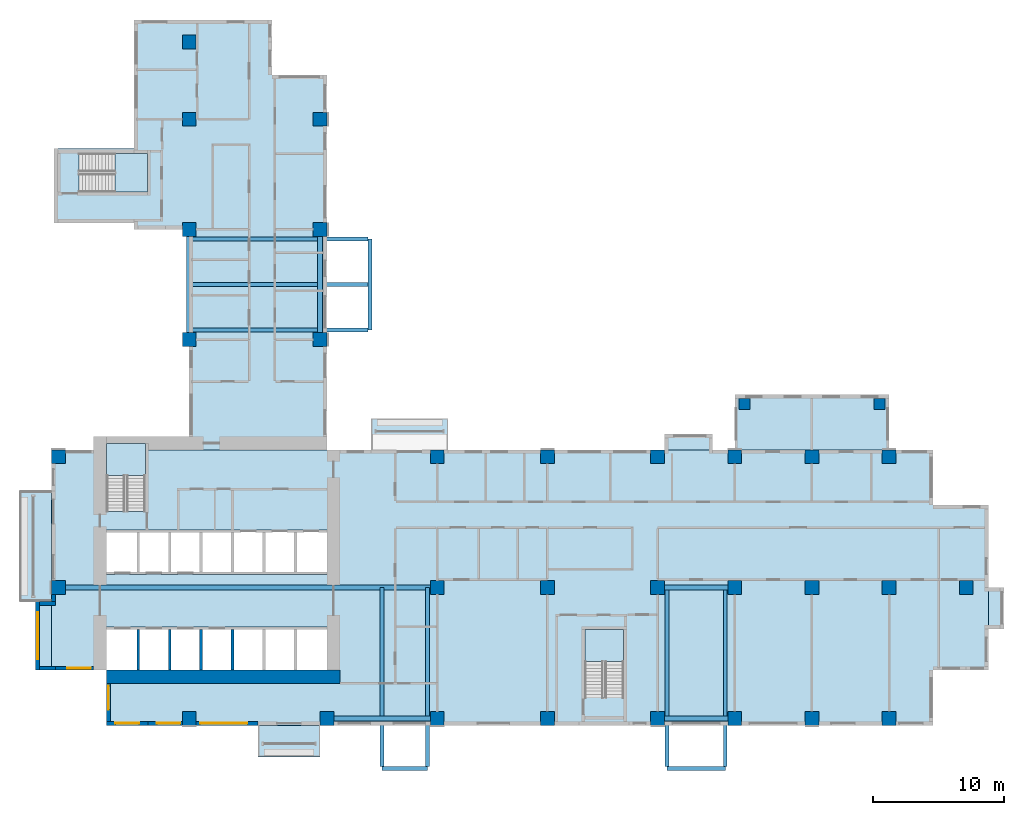
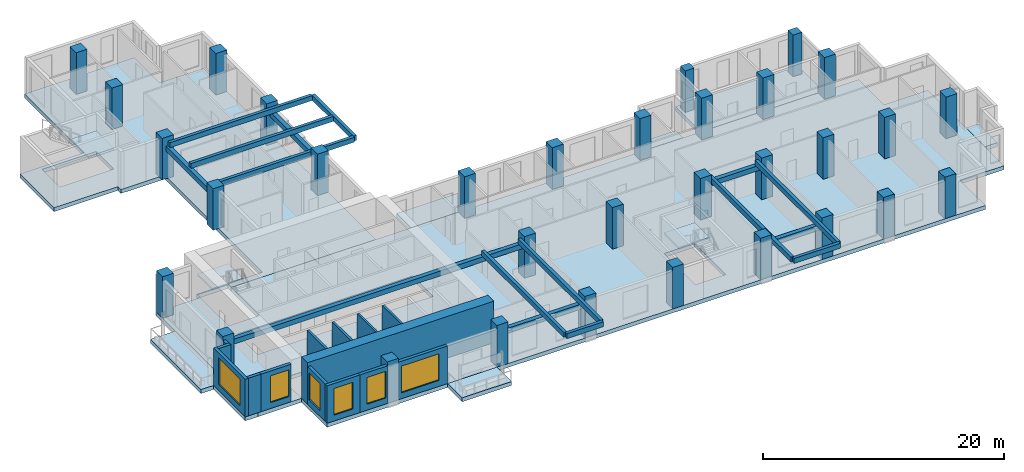
# One storey, part 1 of 14: 32 columns, 16 beams, 14 walls, 12 slabs, 6 windows, 6 openings, 3 elements without a shape of their own.
"""IFC4 building model written with IfcOpenShell, lengths in metres."""

import ifcopenshell
import ifcopenshell.guid

model = None  # the IFC model being written
_history = None  # IfcOwnerHistory: only IFC2X3 demands one
_inside = {}  # id of a spatial element -> (the spatial element, [elements in it])
_under = {}  # id of a project, library or spatial element -> (it, [spatial elements below it])
_declared = {}  # id of a project -> (the project, [libraries it declares])
_typed = {}  # id of a type object -> (the type object, [elements of that type])
_made_of = {}  # id of a material, layer set ... -> (it, [elements and type objects made of it])


def new_model(schema):
    """Start an empty IFC model of exactly this schema.

    Asked for "IFC4X3", IfcOpenShell would pick the latest addendum, in which some entities
    have other attributes; the version numbers below select the first issue.
    IFC2X3 requires an IfcOwnerHistory on every rooted entity: one is made here for all.
    """
    global model, _history
    if schema == "IFC4X3":
        model = ifcopenshell.file(schema_version=(4, 3, 0, 0))
    else:
        model = ifcopenshell.file(schema=schema)
    _inside.clear()
    _under.clear()
    _declared.clear()
    _typed.clear()
    _made_of.clear()
    _history = None
    if model.schema == "IFC2X3":
        org = make("IfcOrganization", Name="unknown")
        user = make(
            "IfcPersonAndOrganization",
            ThePerson=make("IfcPerson", FamilyName="unknown"),
            TheOrganization=org,
        )
        app = make(
            "IfcApplication",
            ApplicationDeveloper=org,
            Version="unknown",
            ApplicationFullName="unknown",
            ApplicationIdentifier="unknown",
        )
        _history = make(
            "IfcOwnerHistory",
            OwningUser=user,
            OwningApplication=app,
            ChangeAction="ADDED",
            CreationDate=0,
        )
    return model


def make(cls, **values):
    """One entity of the class cls with the attributes given. An attribute that is None is left unset."""
    return model.create_entity(
        cls, **{name: value for name, value in values.items() if value is not None}
    )


def rooted(cls, **values):
    """An entity with a GlobalId (a new one), such as an element, a storey or a relation."""
    return make(cls, GlobalId=ifcopenshell.guid.new(), OwnerHistory=_history, **values)


def si_unit(unit_type, name, prefix=None):
    """IfcSIUnit, for example si_unit("LENGTHUNIT", "METRE", prefix="MILLI")."""
    return make("IfcSIUnit", UnitType=unit_type, Prefix=prefix, Name=name)


def assignment(units):
    """IfcUnitAssignment: the units of a project."""
    return None if units is None else make("IfcUnitAssignment", Units=units)


def point(xyz):
    """IfcCartesianPoint."""
    return None if xyz is None else make("IfcCartesianPoint", Coordinates=xyz)


def direction(xyz):
    """IfcDirection."""
    return None if xyz is None else make("IfcDirection", DirectionRatios=xyz)


def frame(location, z_axis=None, x_axis=None):
    """IfcAxis2Placement3D, a coordinate frame: its origin and axes. An axis left out is left unset."""
    return make(
        "IfcAxis2Placement3D",
        Location=point(location),
        Axis=direction(z_axis),
        RefDirection=direction(x_axis),
    )


def frame_2d(location, x_axis=None):
    """IfcAxis2Placement2D, a coordinate frame in the plane: its origin and x axis."""
    return make(
        "IfcAxis2Placement2D", Location=point(location), RefDirection=direction(x_axis)
    )


def origin():
    """The frame at (0, 0, 0) with its axes left unset."""
    return frame((0.0, 0.0, 0.0))


def origin_2d():
    """The frame at (0, 0) in the plane with its x axis left unset."""
    return frame_2d((0.0, 0.0))


def place(relative_to, where):
    """IfcLocalPlacement: puts the frame where relative to a parent placement (None: the world)."""
    return make(
        "IfcLocalPlacement", PlacementRelTo=relative_to, RelativePlacement=where
    )


def context(
    kind, dimensions, precision=None, world=None, true_north=None, identifier=None
):
    """IfcGeometricRepresentationContext, for example the 3D "Model" context."""
    return make(
        "IfcGeometricRepresentationContext",
        ContextIdentifier=identifier,
        ContextType=kind,
        CoordinateSpaceDimension=dimensions,
        Precision=precision,
        WorldCoordinateSystem=world,
        TrueNorth=true_north,
    )


def subcontext(parent, identifier, kind, view, scale=None):
    """IfcGeometricRepresentationSubContext, for example "Body" below "Model"."""
    return make(
        "IfcGeometricRepresentationSubContext",
        ContextIdentifier=identifier,
        ContextType=kind,
        ParentContext=parent,
        TargetScale=scale,
        TargetView=view,
    )


def project(units=None, contexts=None):
    """IfcProject with its units and contexts."""
    return rooted(
        "IfcProject",
        Name="project",
        RepresentationContexts=contexts,
        UnitsInContext=assignment(units),
    )


def spatial(cls, under=None, at=None, **own):
    """A site, building, storey or space (cls), placed at a placement, below another one or the project."""
    s = rooted(cls, ObjectPlacement=at, **own)
    if under is not None:
        _under.setdefault(under.id(), (under, []))[1].append(s)
    return s


def polyline(points):
    """IfcPolyline through the points."""
    return make("IfcPolyline", Points=[point(p) for p in points])


def profile(cls, at=None, kind="AREA", **sizes):
    """A parametric profile (cls). Its sizes go by their IFC names, for example OverallWidth=200.0."""
    return make(cls, ProfileType=kind, Position=at, **sizes)


def rectangle(**sizes):
    """IfcRectangleProfileDef."""
    return profile("IfcRectangleProfileDef", **sizes)


def outline(outer, holes=None, kind="AREA"):
    """IfcArbitraryClosedProfileDef: a profile drawn as a closed curve; with holes, ...WithVoids."""
    if holes is None:
        return make("IfcArbitraryClosedProfileDef", ProfileType=kind, OuterCurve=outer)
    return make(
        "IfcArbitraryProfileDefWithVoids",
        ProfileType=kind,
        OuterCurve=outer,
        InnerCurves=holes,
    )


def extrude(swept, where, along, depth):
    """IfcExtrudedAreaSolid: the profile swept, set in the frame where, extruded along a direction by depth."""
    return make(
        "IfcExtrudedAreaSolid",
        SweptArea=swept,
        Position=where,
        ExtrudedDirection=direction(along),
        Depth=depth,
    )


def shape(context_of_items, identifier, shape_type, items):
    """IfcShapeRepresentation: the items that make up one representation, for example the "Body"."""
    return make(
        "IfcShapeRepresentation",
        ContextOfItems=context_of_items,
        RepresentationIdentifier=identifier,
        RepresentationType=shape_type,
        Items=items,
    )


def source(mapping_origin, context_of_items, identifier, shape_type, items):
    """IfcRepresentationMap: a shape defined once, which mapped items show again and again."""
    return make(
        "IfcRepresentationMap",
        MappingOrigin=mapping_origin,
        MappedRepresentation=shape(context_of_items, identifier, shape_type, items),
    )


def transform(
    local_origin,
    x_axis=None,
    y_axis=None,
    z_axis=None,
    scale=None,
    scale2=None,
    scale3=None,
    uniform=True,
):
    """IfcCartesianTransformationOperator3D, or its non-uniform kind. x_axis, y_axis, z_axis: its Axis1, 2, 3."""
    if uniform:
        return make(
            "IfcCartesianTransformationOperator3D",
            Axis1=direction(x_axis),
            Axis2=direction(y_axis),
            LocalOrigin=point(local_origin),
            Scale=scale,
            Axis3=direction(z_axis),
        )
    return make(
        "IfcCartesianTransformationOperator3DnonUniform",
        Axis1=direction(x_axis),
        Axis2=direction(y_axis),
        LocalOrigin=point(local_origin),
        Scale=scale,
        Axis3=direction(z_axis),
        Scale2=scale2,
        Scale3=scale3,
    )


def mapped(mapping_source, mapping_target):
    """IfcMappedItem: shows the shape of a source again, moved by a transform."""
    return make(
        "IfcMappedItem", MappingSource=mapping_source, MappingTarget=mapping_target
    )


def material(Name=None, Category=None):
    """IfcMaterial."""
    return make("IfcMaterial", Name=Name, Category=Category)


def layer(
    of_material, thickness, ventilated=None, Name=None, Category=None, Priority=None
):
    """IfcMaterialLayer: one layer of a wall or slab, of a material (None: an air gap)."""
    return make(
        "IfcMaterialLayer",
        Material=of_material,
        LayerThickness=thickness,
        IsVentilated=ventilated,
        Name=Name,
        Category=Category,
        Priority=Priority,
    )


def layer_set(layers, Name=None):
    """IfcMaterialLayerSet."""
    return make("IfcMaterialLayerSet", MaterialLayers=layers, LayerSetName=Name)


def material_profile(
    of_material, cross_section, Name=None, Category=None, Priority=None
):
    """IfcMaterialProfile: a cross section and its material."""
    return make(
        "IfcMaterialProfile",
        Name=Name,
        Material=of_material,
        Profile=cross_section,
        Priority=Priority,
        Category=Category,
    )


def profile_set(profiles, Name=None, composite=None):
    """IfcMaterialProfileSet."""
    return make(
        "IfcMaterialProfileSet",
        Name=Name,
        MaterialProfiles=profiles,
        CompositeProfile=composite,
    )


def made_of(thing, what):
    """Note that an element or type object is made of a material, layer set ...; save() writes the relation."""
    if what is not None:
        _made_of.setdefault(what.id(), (what, []))[1].append(thing)
    return thing


def type_object(cls, material=None, **own):
    """A type object (cls), such as IfcWallType, which elements share."""
    return made_of(rooted(cls, **own), material)


def element(
    cls,
    number,
    at=None,
    inside=None,
    cuts=None,
    type_object=None,
    material=None,
    context=None,
    identifier="Body",
    shape_type=None,
    held_by="IfcProductDefinitionShape",
    body=None,
    shapes=None,
    **own,
):
    """One element of the class cls, such as IfcWall. Its Tag is "e" and its number.

    at: its placement. inside: the storey or other place that contains it. cuts: it is an
    opening in that element (IfcRelVoidsElement). A single representation is given by context,
    identifier, shape_type and body (its items); several are given by shapes. held_by: the class
    of the entity that holds the representations. save() writes the other relations.
    """
    e = rooted(cls, Tag="e%d" % number, ObjectPlacement=at, **own)
    if body is not None:
        shapes = [shape(context, identifier, shape_type, body)]
    if shapes is not None:
        e.Representation = make(held_by, Representations=shapes)
    if inside is not None:
        _inside.setdefault(inside.id(), (inside, []))[1].append(e)
    if cuts is not None:
        rooted(
            "IfcRelVoidsElement", RelatingBuildingElement=cuts, RelatedOpeningElement=e
        )
    if type_object is not None:
        _typed.setdefault(type_object.id(), (type_object, []))[1].append(e)
    return made_of(e, material)


def fill(opening, filler):
    """IfcRelFillsElement: the door or window that sits in an opening."""
    return rooted(
        "IfcRelFillsElement",
        RelatingOpeningElement=opening,
        RelatedBuildingElement=filler,
    )


def aggregate(whole, parts):
    """IfcRelAggregates: a whole, such as a stair, and the parts it consists of."""
    return rooted("IfcRelAggregates", RelatingObject=whole, RelatedObjects=parts)


def save(model, path):
    """Write the relations noted so far, then the file.

    IfcRelAggregates (storeys below a building ...), IfcRelContainedInSpatialStructure (elements
    in a storey), IfcRelDefinesByType, IfcRelAssociatesMaterial and IfcRelDeclares: one each for
    every whole, place, type object, material and project.
    """
    for whole, parts in _under.values():
        aggregate(whole, parts)
    for where, things in _inside.values():
        rooted(
            "IfcRelContainedInSpatialStructure",
            RelatedElements=things,
            RelatingStructure=where,
        )
    for kind, things in _typed.values():
        rooted("IfcRelDefinesByType", RelatedObjects=things, RelatingType=kind)
    for what, things in _made_of.values():
        rooted("IfcRelAssociatesMaterial", RelatedObjects=things, RelatingMaterial=what)
    for by, libraries in _declared.values():
        rooted("IfcRelDeclares", RelatingContext=by, RelatedDefinitions=libraries)
    model.write(path)


model = new_model("IFC4")

# Units and contexts
model_context = context("Model", 3, precision=1e-05, world=origin(), true_north=direction((0.0, 1.0)))
body_context = subcontext(model_context, "Body", "Model", "MODEL_VIEW")
ifc_project = project(units=[si_unit("LENGTHUNIT", "METRE"), si_unit("AREAUNIT", "SQUARE_METRE"), si_unit("VOLUMEUNIT", "CUBIC_METRE"), si_unit("PLANEANGLEUNIT", "RADIAN"), si_unit("MASSUNIT", "GRAM", prefix="KILO")], contexts=[model_context])

# Site, building, storey
site_placement = place(None, origin())
site = spatial("IfcSite", under=ifc_project, at=site_placement, CompositionType="ELEMENT")
building_placement = place(site_placement, origin())
building = spatial("IfcBuilding", under=site, at=building_placement, Name="Aurelian Terraces", CompositionType="ELEMENT")
storey_placement = place(building_placement, frame((0.0, 0.0, 128.7)))
storey = spatial("IfcBuildingStorey", under=building, at=storey_placement, Name="L28", CompositionType="ELEMENT", Elevation=128.7)

# Columns
ifc_material_1 = material(Name="Concrete fc' 83 MPa", Category="concrete")
ifc_material_profile_1 = material_profile(ifc_material_1, rectangle(XDim=1.05, YDim=1.05, at=origin_2d()))
ifc_profile_set_1 = profile_set([ifc_material_profile_1], Name="Concrete fc' 83 MPa")
column_type_1 = type_object("IfcColumnType", Name="RC COLUMN 1050X1050 FC83", PredefinedType="COLUMN", material=ifc_profile_set_1)
shared_shape_1 = source(origin(), body_context, "Body", "SweptSolid", [
    extrude(rectangle(XDim=1.05, YDim=1.05, at=origin_2d()), origin(), (0.0, 0.0, 1.0), 4.2),
])
for number, where, z_axis, x_axis, name in (
    (1, (10.5, 0.525, 0.0), (0.0, 0.0, 1.0), (1.0, 0.0, 0.0), "Column 2/A L28"),
    (2, (21.0, 0.525, 0.0), (0.0, 0.0, 1.0), (1.0, 0.0, 0.0), "Column 3/A L28"),
    (3, (29.4, 0.525, 0.0), (0.0, 0.0, 1.0), (1.0, 0.0, 0.0), "Column 4/A L28"),
    (4, (37.8, 0.525, 0.0), (0.0, 0.0, 1.0), (1.0, 0.0, 0.0), "Column 5/A L28"),
    (5, (46.2, 0.525, 0.0), (0.0, 0.0, 1.0), (1.0, 0.0, 0.0), "Column 6/A L28"),
    (6, (52.08, 0.525, 0.0), (0.0, 0.0, 1.0), (1.0, 0.0, 0.0), "Column 7/A L28"),
    (7, (57.96, 0.525, 0.0), (0.0, 0.0, 1.0), (1.0, 0.0, 0.0), "Column 8/A L28"),
    (8, (63.84, 0.525, 0.0), (0.0, 0.0, 1.0), (1.0, 0.0, 0.0), "Column 9/A L28"),
    (9, (0.525, 10.5, 0.0), (0.0, 0.0, 1.0), (1.0, 0.0, 0.0), "Column 1/B L28"),
    (10, (29.4, 10.5, 0.0), (0.0, 0.0, 1.0), (1.0, 0.0, 0.0), "Column 4/B L28"),
    (11, (37.8, 10.5, 0.0), (0.0, 0.0, 1.0), (1.0, 0.0, 0.0), "Column 5/B L28"),
    (12, (46.2, 10.5, 0.0), (0.0, 0.0, 1.0), (1.0, 0.0, 0.0), "Column 6/B L28"),
    (13, (52.08, 10.5, 0.0), (0.0, 0.0, 1.0), (1.0, 0.0, 0.0), "Column 7/B L28"),
    (14, (57.96, 10.5, 0.0), (0.0, 0.0, 1.0), (1.0, 0.0, 0.0), "Column 8/B L28"),
    (15, (63.84, 10.5, 0.0), (0.0, 0.0, 1.0), (1.0, 0.0, 0.0), "Column 9/B L28"),
    (16, (69.72, 10.5, 0.0), (0.0, 0.0, 1.0), (1.0, 0.0, 0.0), "Column 10/B L28"),
    (17, (0.525, 20.475, 0.0), (0.0, 0.0, 1.0), (1.0, 0.0, 0.0), "Column 1/C L28"),
    (18, (29.4, 20.475, 0.0), (0.0, 0.0, 1.0), (1.0, 0.0, 0.0), "Column 4/C L28"),
    (19, (37.8, 20.475, 0.0), (0.0, 0.0, 1.0), (1.0, 0.0, 0.0), "Column 5/C L28"),
    (20, (46.2, 20.475, 0.0), (0.0, 0.0, 1.0), (1.0, 0.0, 0.0), "Column 6/C L28"),
    (21, (52.08, 20.475, 0.0), (0.0, 0.0, 1.0), (1.0, 0.0, 0.0), "Column 7/C L28"),
    (22, (57.96, 20.475, 0.0), (0.0, 0.0, 1.0), (1.0, 0.0, 0.0), "Column 8/C L28"),
    (23, (63.84, 20.475, 0.0), (0.0, 0.0, 1.0), (1.0, 0.0, 0.0), "Column 9/C L28"),
    (24, (10.5, 29.4, 0.0), (0.0, 0.0, 1.0), (1.0, 0.0, 0.0), "Column 2/D L28"),
    (25, (20.475, 29.4, 0.0), (0.0, 0.0, 1.0), (1.0, 0.0, 0.0), "Column 3/D L28"),
    (26, (10.5, 37.8, 0.0), (0.0, 0.0, 1.0), (1.0, 0.0, 0.0), "Column 2/E L28"),
    (27, (20.475, 37.8, 0.0), (0.0, 0.0, 1.0), (1.0, 0.0, 0.0), "Column 3/E L28"),
    (28, (10.5, 46.2, 0.0), (0.0, 0.0, 1.0), (1.0, 0.0, 0.0), "Column 2/F L28"),
    (29, (20.475, 46.2, 0.0), (0.0, 0.0, 1.0), (1.0, 0.0, 0.0), "Column 3/F L28"),
    (30, (10.5, 52.08, 0.0), (0.0, 0.0, 1.0), (1.0, 0.0, 0.0), "Column 2/G L28"),
):
    element("IfcColumn", number, at=place(storey_placement, frame(where, z_axis=z_axis, x_axis=x_axis)), inside=storey, type_object=column_type_1, Name=name, PredefinedType="COLUMN", context=body_context, shape_type="MappedRepresentation", body=[
        mapped(shared_shape_1, transform((0.0, 0.0, 0.0), scale=1.0)),
    ])
ifc_material_2 = material(Name="Concrete fc' 55 MPa", Category="concrete")
ifc_material_profile_2 = material_profile(ifc_material_2, rectangle(XDim=0.84, YDim=0.84, at=origin_2d()))
ifc_profile_set_2 = profile_set([ifc_material_profile_2], Name="Concrete fc' 55 MPa")
column_type_2 = type_object("IfcColumnType", Name="BLOCK CORNER PIER 840X840", PredefinedType="COLUMN", material=ifc_profile_set_2)
shared_shape_2 = source(origin(), body_context, "Body", "SweptSolid", [
    extrude(rectangle(XDim=0.84, YDim=0.84, at=origin_2d()), origin(), (0.0, 0.0, 1.0), 4.2),
])
for number, where, z_axis, x_axis, name in (
    (31, (52.805, 24.48, 0.0), (0.0, 0.0, 1.0), (1.0, 0.0, 0.0), "Block pier K02.1 L28"),
    (32, (63.115, 24.48, 0.0), (0.0, 0.0, 1.0), (1.0, 0.0, 0.0), "Block pier K02.2 L28"),
):
    element("IfcColumn", number, at=place(storey_placement, frame(where, z_axis=z_axis, x_axis=x_axis)), inside=storey, type_object=column_type_2, Name=name, PredefinedType="COLUMN", context=body_context, shape_type="MappedRepresentation", body=[
        mapped(shared_shape_2, transform((0.0, 0.0, 0.0), scale=1.0)),
    ])

# Beams
ifc_material_3 = material(Name="Concrete fc' 40 MPa", Category="concrete")
ifc_material_profile_3 = material_profile(ifc_material_3, rectangle(XDim=0.3, YDim=0.5, at=origin_2d()))
ifc_profile_set_3 = profile_set([ifc_material_profile_3], Name="Concrete fc' 40 MPa")
beam_type_1 = type_object("IfcBeamType", Name="CONCRETE CANTILEVER BEAM 300X500", PredefinedType="BEAM", material=ifc_profile_set_3)
beam_1_placement = place(storey_placement, frame((24.275, 30.125, 3.55), z_axis=(0.0, 1.0, 0.0), x_axis=(-1.0, 0.0, 0.0)))
element("IfcBeam", 33, at=beam_1_placement, inside=storey, type_object=beam_type_1, Name="Box tip beam J41", PredefinedType="BEAM", context=body_context, shape_type="SweptSolid", body=[
    extrude(rectangle(XDim=0.3, YDim=0.5, at=origin_2d()), origin(), (0.0, 0.0, 1.0), 6.95),
])
ifc_material_profile_4 = material_profile(ifc_material_3, rectangle(XDim=0.4, YDim=0.5, at=origin_2d()))
ifc_profile_set_4 = profile_set([ifc_material_profile_4], Name="Concrete fc' 40 MPa")
beam_type_2 = type_object("IfcBeamType", Name="CONCRETE EDGE GIRDER 400X500", PredefinedType="BEAM", material=ifc_profile_set_4)
shared_shape_3 = source(origin(), body_context, "Body", "SweptSolid", [
    extrude(rectangle(XDim=0.4, YDim=0.5, at=origin_2d()), origin(), (0.0, 0.0, 1.0), 4.83),
])
for number, where, z_axis, x_axis, name in (
    (34, (46.725, 0.525, 3.05), (1.0, 0.0, 0.0), (0.0, 1.0, 0.0), "Box girder L28 O83"),
    (35, (46.725, 10.5, 3.05), (1.0, 0.0, 0.0), (0.0, 1.0, 0.0), "Box girder L28 I84"),
):
    element("IfcBeam", number, at=place(storey_placement, frame(where, z_axis=z_axis, x_axis=x_axis)), inside=storey, type_object=beam_type_2, Name=name, PredefinedType="BEAM", context=body_context, shape_type="MappedRepresentation", body=[
        mapped(shared_shape_3, transform((0.0, 0.0, 0.0), scale=1.0)),
    ])
shared_shape_4 = source(origin(), body_context, "Body", "SweptSolid", [
    extrude(rectangle(XDim=0.3, YDim=0.5, at=origin_2d()), origin(), (0.0, 0.0, 1.0), 13.625),
])
for number, where, z_axis, x_axis, name in (
    (36, (25.2, -3.125, 3.55), (0.0, 1.0, 0.0), (-1.0, 0.0, 0.0), "Box cantilever beam J39.1"),
    (37, (28.675, -3.125, 3.55), (0.0, 1.0, 0.0), (-1.0, 0.0, 0.0), "Box cantilever beam J39.2"),
    (38, (46.925, -3.125, 3.55), (0.0, 1.0, 0.0), (-1.0, 0.0, 0.0), "Box cantilever beam J40.1"),
    (39, (51.355, -3.125, 3.55), (0.0, 1.0, 0.0), (-1.0, 0.0, 0.0), "Box cantilever beam J40.2"),
    (40, (24.125, 30.125, 3.55), (-1.0, 0.0, 0.0), (0.0, -1.0, 0.0), "Box cantilever beam J41.1"),
    (41, (24.125, 37.075, 3.55), (-1.0, 0.0, 0.0), (0.0, -1.0, 0.0), "Box cantilever beam J41.2"),
    (42, (24.125, 33.6, 3.55), (-1.0, 0.0, 0.0), (0.0, -1.0, 0.0), "Box cantilever beam J41.m1"),
):
    element("IfcBeam", number, at=place(storey_placement, frame(where, z_axis=z_axis, x_axis=x_axis)), inside=storey, type_object=beam_type_1, Name=name, PredefinedType="BEAM", context=body_context, shape_type="MappedRepresentation", body=[
        mapped(shared_shape_4, transform((0.0, 0.0, 0.0), scale=1.0)),
    ])
shared_shape_5 = source(origin(), body_context, "Body", "SweptSolid", [
    extrude(rectangle(XDim=0.4, YDim=0.5, at=origin_2d()), origin(), (0.0, 0.0, 1.0), 27.825),
])
beam_2_placement = place(storey_placement, frame((1.05, 10.5, 3.05), z_axis=(1.0, 0.0, 0.0), x_axis=(0.0, 1.0, 0.0)))
element("IfcBeam", 43, at=beam_2_placement, inside=storey, type_object=beam_type_2, Name="Box girder L28 I82", PredefinedType="BEAM", context=body_context, shape_type="MappedRepresentation", body=[
    mapped(shared_shape_5, transform((0.0, 0.0, 0.0), scale=1.0)),
])
shared_shape_6 = source(origin(), body_context, "Body", "SweptSolid", [
    extrude(rectangle(XDim=0.4, YDim=0.5, at=origin_2d()), origin(), (0.0, 0.0, 1.0), 7.35),
])
for number, where, z_axis, x_axis, name in (
    (44, (21.525, 0.525, 3.05), (1.0, 0.0, 0.0), (0.0, 1.0, 0.0), "Box girder L28 O81"),
    (45, (20.475, 29.925, 3.05), (0.0, 1.0, 0.0), (-1.0, 0.0, 0.0), "Box girder L28 O85"),
    (46, (10.5, 29.925, 3.05), (0.0, 1.0, 0.0), (-1.0, 0.0, 0.0), "Box girder L28 I86"),
):
    element("IfcBeam", number, at=place(storey_placement, frame(where, z_axis=z_axis, x_axis=x_axis)), inside=storey, type_object=beam_type_2, Name=name, PredefinedType="BEAM", context=body_context, shape_type="MappedRepresentation", body=[
        mapped(shared_shape_6, transform((0.0, 0.0, 0.0), scale=1.0)),
    ])
shared_shape_7 = source(origin(), body_context, "Body", "SweptSolid", [
    extrude(rectangle(XDim=0.3, YDim=0.5, at=origin_2d()), origin(), (0.0, 0.0, 1.0), 3.475),
])
beam_3_placement = place(storey_placement, frame((25.2, -3.275, 3.55), z_axis=(1.0, 0.0, 0.0), x_axis=(0.0, 1.0, 0.0)))
element("IfcBeam", 47, at=beam_3_placement, inside=storey, type_object=beam_type_1, Name="Box tip beam J39", PredefinedType="BEAM", context=body_context, shape_type="MappedRepresentation", body=[
    mapped(shared_shape_7, transform((0.0, 0.0, 0.0), scale=1.0)),
])
shared_shape_8 = source(origin(), body_context, "Body", "SweptSolid", [
    extrude(rectangle(XDim=0.3, YDim=0.5, at=origin_2d()), origin(), (0.0, 0.0, 1.0), 4.43),
])
beam_4_placement = place(storey_placement, frame((46.925, -3.275, 3.55), z_axis=(1.0, 0.0, 0.0), x_axis=(0.0, 1.0, 0.0)))
element("IfcBeam", 48, at=beam_4_placement, inside=storey, type_object=beam_type_1, Name="Box tip beam J40", PredefinedType="BEAM", context=body_context, shape_type="MappedRepresentation", body=[
    mapped(shared_shape_8, transform((0.0, 0.0, 0.0), scale=1.0)),
])

# Slabs
ifc_layer_1 = layer(ifc_material_3, 0.4)
ifc_layer_set_1 = layer_set([ifc_layer_1], Name="Balcony slab 400")
slab_type_1 = type_object("IfcSlabType", Name="Balcony slab 400", PredefinedType="NOTDEFINED", material=ifc_layer_set_1)
slab_1_placement = place(storey_placement, frame((0.0, 0.0, -0.4)))
element("IfcSlab", 49, at=slab_1_placement, inside=storey, type_object=slab_type_1, Name="Balcony slab L28 F01.4", PredefinedType="NOTDEFINED", context=body_context, shape_type="SweptSolid", body=[
    extrude(outline(polyline([(15.75, 0.0), (20.475, 0.0), (20.475, -2.4), (15.75, -2.4), (15.75, 0.0)])), origin(), (0.0, 0.0, 1.0), 0.4),
])
ifc_layer_2 = layer(ifc_material_3, 0.4)
ifc_layer_set_2 = layer_set([ifc_layer_2], Name="PT FLAT PLATE 400")
slab_type_2 = type_object("IfcSlabType", Name="PT FLAT PLATE 400", PredefinedType="FLOOR", material=ifc_layer_set_2)
shared_shape_9 = source(origin(), body_context, "Body", "SweptSolid", [
    extrude(outline(polyline([(67.2, 16.8), (71.4, 16.8), (71.4, 4.2), (67.2, 4.2), (67.2, 0.0), (21.0, 0.0), (4.2, 0.0), (4.2, 4.2), (0.0, 4.2), (0.0, 21.0), (4.21, 21.0), (4.21, 16.31), (7.14, 16.31), (7.14, 21.0), (21.0, 21.0), (67.2, 21.0), (67.2, 16.8)]), holes=[polyline([(40.66, 2.11), (43.59, 2.11), (43.59, 7.29), (40.66, 7.29), (40.66, 2.11)]), polyline([(4.21, 7.49), (4.21, 4.21), (20.99, 4.21), (20.99, 7.49), (4.21, 7.49)]), polyline([(4.21, 14.89), (4.21, 11.51), (20.99, 11.51), (20.99, 14.89), (4.21, 14.89)])]), origin(), (0.0, 0.0, 1.0), 0.4),
])
slab_2_placement = place(storey_placement, frame((0.0, 0.0, -0.4)))
element("IfcSlab", 50, at=slab_2_placement, inside=storey, type_object=slab_type_2, Name="Floor slab S L28", PredefinedType="FLOOR", context=body_context, shape_type="MappedRepresentation", body=[
    mapped(shared_shape_9, transform((0.0, 0.0, 0.0), scale=1.0)),
])
shared_shape_10 = source(origin(), body_context, "Body", "SweptSolid", [
    extrude(outline(polyline([(6.3, 43.95), (6.3, 49.56), (6.3, 53.76), (10.5, 53.76), (16.8, 53.76), (16.8, 49.56), (21.0, 49.56), (21.0, 21.0), (7.14, 21.0), (7.14, 21.49), (4.21, 21.49), (4.21, 21.0), (4.2, 21.0), (4.2, 21.6), (6.3, 21.6), (10.5, 21.6), (10.5, 37.8), (6.3, 37.8), (6.3, 38.3), (0.2, 38.3), (0.2, 43.95), (6.3, 43.95)]), holes=[polyline([(7.29, 43.59), (2.11, 43.59), (2.11, 40.66), (7.29, 40.66), (7.29, 43.59)])]), origin(), (0.0, 0.0, 1.0), 0.4),
])
slab_3_placement = place(storey_placement, frame((0.0, 0.0, -0.4)))
element("IfcSlab", 51, at=slab_3_placement, inside=storey, type_object=slab_type_2, Name="Floor slab W L28", PredefinedType="FLOOR", context=body_context, shape_type="MappedRepresentation", body=[
    mapped(shared_shape_10, transform((0.0, 0.0, 0.0), scale=1.0)),
])
ifc_layer_3 = layer(ifc_material_3, 0.4)
ifc_layer_set_3 = layer_set([ifc_layer_3], Name="Bay floor 400")
slab_type_3 = type_object("IfcSlabType", Name="Bay floor 400", PredefinedType="NOTDEFINED", material=ifc_layer_set_3)
shared_shape_11 = source(origin(), body_context, "Body", "SweptSolid", [
    extrude(outline(polyline([(71.4, 7.35), (71.4, 10.5), (72.6, 10.5), (72.6, 7.35), (71.4, 7.35)])), origin(), (0.0, 0.0, 1.0), 0.4),
])
slab_4_placement = place(storey_placement, frame((0.0, 0.0, -0.4)))
element("IfcSlab", 52, at=slab_4_placement, inside=storey, type_object=slab_type_3, Name="Bay floor L28 F04.16", PredefinedType="NOTDEFINED", context=body_context, shape_type="MappedRepresentation", body=[
    mapped(shared_shape_11, transform((0.0, 0.0, 0.0), scale=1.0)),
])
ifc_layer_4 = layer(ifc_material_3, 0.41)
ifc_layer_set_4 = layer_set([ifc_layer_4], Name="Box floor 410")
slab_type_4 = type_object("IfcSlabType", Name="Box floor 410", PredefinedType="NOTDEFINED", material=ifc_layer_set_4)
shared_shape_12 = source(origin(), body_context, "Body", "SweptSolid", [
    extrude(outline(polyline([(63.84, 25.2), (52.08, 25.2), (52.08, 21.0), (63.84, 21.0), (63.84, 25.2)])), origin(), (0.0, 0.0, 1.0), 0.41),
])
slab_5_placement = place(storey_placement, frame((0.0, 0.0, -0.41)))
element("IfcSlab", 53, at=slab_5_placement, inside=storey, type_object=slab_type_4, Name="Box floor L28 K02", PredefinedType="NOTDEFINED", context=body_context, shape_type="MappedRepresentation", body=[
    mapped(shared_shape_12, transform((0.0, 0.0, 0.0), scale=1.0)),
])
shared_shape_13 = source(origin(), body_context, "Body", "SweptSolid", [
    extrude(outline(polyline([(50.4, 21.0), (46.725, 21.0), (46.725, 22.2), (50.4, 22.2), (50.4, 21.0)])), origin(), (0.0, 0.0, 1.0), 0.4),
])
slab_6_placement = place(storey_placement, frame((0.0, 0.0, -0.4)))
element("IfcSlab", 54, at=slab_6_placement, inside=storey, type_object=slab_type_3, Name="Bay floor L28 F07.21", PredefinedType="NOTDEFINED", context=body_context, shape_type="MappedRepresentation", body=[
    mapped(shared_shape_13, transform((0.0, 0.0, 0.0), scale=1.0)),
])
shared_shape_14 = source(origin(), body_context, "Body", "SweptSolid", [
    extrude(outline(polyline([(30.24, 21.0), (24.36, 21.0), (24.36, 23.4), (30.24, 23.4), (30.24, 21.0)])), origin(), (0.0, 0.0, 1.0), 0.4),
])
slab_7_placement = place(storey_placement, frame((0.0, 0.0, -0.4)))
element("IfcSlab", 55, at=slab_7_placement, inside=storey, type_object=slab_type_1, Name="Balcony slab L28 F07.23", PredefinedType="NOTDEFINED", context=body_context, shape_type="MappedRepresentation", body=[
    mapped(shared_shape_14, transform((0.0, 0.0, 0.0), scale=1.0)),
])
shared_shape_15 = source(origin(), body_context, "Body", "SweptSolid", [
    extrude(outline(polyline([(0.0, 17.85), (0.0, 9.45), (-2.4, 9.45), (-2.4, 17.85), (0.0, 17.85)])), origin(), (0.0, 0.0, 1.0), 0.4),
])
slab_8_placement = place(storey_placement, frame((0.0, 0.0, -0.4)))
element("IfcSlab", 56, at=slab_8_placement, inside=storey, type_object=slab_type_1, Name="Balcony slab L28 F22.44", PredefinedType="NOTDEFINED", context=body_context, shape_type="MappedRepresentation", body=[
    mapped(shared_shape_15, transform((0.0, 0.0, 0.0), scale=1.0)),
])
shared_shape_16 = source(origin(), body_context, "Body", "SweptSolid", [
    extrude(outline(polyline([(0.0, 9.45), (0.0, 4.2), (-1.2, 4.2), (-1.2, 9.45), (0.0, 9.45)])), origin(), (0.0, 0.0, 1.0), 0.4),
])
slab_9_placement = place(storey_placement, frame((0.0, 0.0, -0.4)))
element("IfcSlab", 57, at=slab_9_placement, inside=storey, type_object=slab_type_3, Name="Bay floor L28 F22.45", PredefinedType="NOTDEFINED", context=body_context, shape_type="MappedRepresentation", body=[
    mapped(shared_shape_16, transform((0.0, 0.0, 0.0), scale=1.0)),
])

# Stair, slab
stair_type = type_object("IfcStairType", Name="Stair 1400", PredefinedType="HALF_TURN_STAIR", material=ifc_material_3)
stair_1_placement = place(storey_placement, origin())
stair_1 = element("IfcStair", 58, at=stair_1_placement, inside=storey, type_object=stair_type, Name="L28 S1", PredefinedType="HALF_TURN_STAIR")
ifc_layer_5 = layer(ifc_material_3, 0.2)
ifc_layer_set_5 = layer_set([ifc_layer_5], Name="Stair landing 200")
slab_type_5 = type_object("IfcSlabType", Name="Stair landing 200", PredefinedType="LANDING", material=ifc_layer_set_5)
shared_shape_17 = source(origin(), body_context, "Body", "SweptSolid", [
    extrude(outline(polyline([(7.15, 19.05), (7.15, 21.5), (4.2, 21.5), (4.2, 19.05), (7.15, 19.05)])), origin(), (0.0, 0.0, 1.0), 0.2),
])
slab_10_placement = place(storey_placement, frame((0.0, 0.0, 1.9)))
slab_10 = element("IfcSlab", 59, at=slab_10_placement, type_object=slab_type_5, Name="S1 landing 1", PredefinedType="LANDING", context=body_context, shape_type="MappedRepresentation", body=[
    mapped(shared_shape_17, transform((0.0, 0.0, 0.0), scale=1.0)),
])
aggregate(stair_1, [slab_10])

stair_2_placement = place(storey_placement, origin())
stair_2 = element("IfcStair", 60, at=stair_2_placement, inside=storey, type_object=stair_type, Name="L28 S2", PredefinedType="HALF_TURN_STAIR")
shared_shape_18 = source(origin(), body_context, "Body", "SweptSolid", [
    extrude(outline(polyline([(43.6, 4.85), (43.6, 7.3), (40.65, 7.3), (40.65, 4.85), (43.6, 4.85)])), origin(), (0.0, 0.0, 1.0), 0.2),
])
slab_11_placement = place(storey_placement, frame((0.0, 0.0, 1.9)))
slab_11 = element("IfcSlab", 61, at=slab_11_placement, type_object=slab_type_5, Name="S2 landing 1", PredefinedType="LANDING", context=body_context, shape_type="MappedRepresentation", body=[
    mapped(shared_shape_18, transform((0.0, 0.0, 0.0), scale=1.0)),
])
aggregate(stair_2, [slab_11])

stair_3_placement = place(storey_placement, origin())
stair_3 = element("IfcStair", 62, at=stair_3_placement, inside=storey, type_object=stair_type, Name="L28 S3", PredefinedType="HALF_TURN_STAIR")
shared_shape_19 = source(origin(), body_context, "Body", "SweptSolid", [
    extrude(outline(polyline([(4.85, 40.65), (7.3, 40.65), (7.3, 43.6), (4.85, 43.6), (4.85, 40.65)])), origin(), (0.0, 0.0, 1.0), 0.2),
])
slab_12_placement = place(storey_placement, frame((0.0, 0.0, 1.9)))
slab_12 = element("IfcSlab", 63, at=slab_12_placement, type_object=slab_type_5, Name="S3 landing 1", PredefinedType="LANDING", context=body_context, shape_type="MappedRepresentation", body=[
    mapped(shared_shape_19, transform((0.0, 0.0, 0.0), scale=1.0)),
])
aggregate(stair_3, [slab_12])

# Wall
ifc_layer_6 = layer(ifc_material_1, 1.0)
ifc_layer_set_6 = layer_set([ifc_layer_6], Name="CORE WALL 1000 FC83")
wall_type_1 = type_object("IfcWallType", Name="CORE WALL 1000 FC83", PredefinedType="SHEAR", material=ifc_layer_set_6)
shared_shape_20 = source(origin(), body_context, "Body", "SweptSolid", [
    extrude(rectangle(XDim=17.8, YDim=1.0, at=frame_2d((8.9, 0.0))), origin(), (0.0, 0.0, 1.0), 4.2),
])
wall_1_placement = place(storey_placement, frame((4.2, 3.7, 0.0), z_axis=(0.0, 0.0, 1.0), x_axis=(1.0, 0.0, 0.0)))
element("IfcWall", 64, at=wall_1_placement, inside=storey, type_object=wall_type_1, Name="Core wall S L28", PredefinedType="SHEAR", context=body_context, shape_type="MappedRepresentation", body=[
    mapped(shared_shape_20, transform((0.0, 0.0, 0.0), scale=1.0)),
])

# Wall, opening, window
ifc_material_4 = material(Name="Terracotta rainscreen cladding", Category="masonry")
ifc_layer_7 = layer(ifc_material_4, 0.3)
ifc_layer_set_7 = layer_set([ifc_layer_7], Name="EW-300")
wall_type_2 = type_object("IfcWallType", Name="EW-300", PredefinedType="STANDARD", material=ifc_layer_set_7)
shared_shape_21 = source(origin(), body_context, "Body", "SweptSolid", [
    extrude(rectangle(XDim=3.15, YDim=0.3, at=frame_2d((1.575, 0.0))), origin(), (0.0, 0.0, 1.0), 3.8),
])
wall_2_placement = place(storey_placement, frame((4.2, 0.15, 0.0), z_axis=(0.0, 0.0, 1.0), x_axis=(1.0, 0.0, 0.0)))
wall_2 = element("IfcWall", 65, at=wall_2_placement, inside=storey, type_object=wall_type_2, Name="External wall L28 F01.1", PredefinedType="STANDARD", context=body_context, shape_type="MappedRepresentation", body=[
    mapped(shared_shape_21, transform((0.0, 0.0, 0.0), scale=1.0)),
])
shared_shape_22 = source(origin(), body_context, "Body", "SweptSolid", [
    extrude(rectangle(XDim=1.8, YDim=2.7, at=frame_2d((0.9, 1.35))), frame((0.0, 0.16, 0.0), z_axis=(0.0, -1.0, 0.0), x_axis=(1.0, 0.0, 0.0)), (0.0, 0.0, 1.0), 0.32),
])
opening_1_placement = place(wall_2_placement, frame((0.675, 0.0, 0.6)))
opening_1 = element("IfcOpeningElement", 66, at=opening_1_placement, cuts=wall_2, Name="Opening W1827", PredefinedType="OPENING", context=body_context, shape_type="MappedRepresentation", body=[
    mapped(shared_shape_22, transform((0.0, 0.0, 0.0), scale=1.0)),
])
ifc_material_5 = material(Name="Clear glazing", Category="glass")
window_type_1 = type_object("IfcWindowType", Name="W-1800x2700", PartitioningType="SINGLE_PANEL", PredefinedType="WINDOW", material=ifc_material_5)
shared_shape_23 = source(origin(), body_context, "Body", "SweptSolid", [
    extrude(rectangle(XDim=1.8, YDim=2.7, at=frame_2d((0.9, 1.35))), frame((0.0, 0.03, 0.0), z_axis=(0.0, -1.0, 0.0), x_axis=(1.0, 0.0, 0.0)), (0.0, 0.0, 1.0), 0.06),
])
window_1_placement = place(opening_1_placement, origin())
window_1 = element("IfcWindow", 67, at=window_1_placement, inside=storey, type_object=window_type_1, Name="Window L28 L28-F01-01-0", OverallHeight=2.7, OverallWidth=1.8, PartitioningType="SINGLE_PANEL", PredefinedType="WINDOW", context=body_context, shape_type="MappedRepresentation", body=[
    mapped(shared_shape_23, transform((0.0, 0.0, 0.0), scale=1.0)),
])
fill(opening_1, window_1)

# Walls
shared_shape_24 = source(origin(), body_context, "Body", "SweptSolid", [
    extrude(rectangle(XDim=1.2, YDim=0.3, at=frame_2d((0.6, 0.0))), origin(), (0.0, 0.0, 1.0), 3.8),
])
for number, where, z_axis, x_axis, name in (
    (68, (0.3, 9.3, 0.0), (0.0, 0.0, 1.0), (-1.0, 0.0, 0.0), "Bay return L28 F22.45.1"),
    (69, (0.3, 4.35, 0.0), (0.0, 0.0, 1.0), (-1.0, 0.0, 0.0), "Bay return L28 F22.45.2"),
):
    element("IfcWall", number, at=place(storey_placement, frame(where, z_axis=z_axis, x_axis=x_axis)), inside=storey, type_object=wall_type_2, Name=name, PredefinedType="STANDARD", context=body_context, shape_type="MappedRepresentation", body=[
        mapped(shared_shape_24, transform((0.0, 0.0, 0.0), scale=1.0)),
    ])

# Wall, opening, window
shared_shape_25 = source(origin(), body_context, "Body", "SweptSolid", [
    extrude(rectangle(XDim=3.2, YDim=0.3, at=frame_2d((1.6, 0.0))), origin(), (0.0, 0.0, 1.0), 3.8),
])
wall_3_placement = place(storey_placement, frame((0.0, 4.35, 0.0), z_axis=(0.0, 0.0, 1.0), x_axis=(1.0, 0.0, 0.0)))
wall_3 = element("IfcWall", 70, at=wall_3_placement, inside=storey, type_object=wall_type_2, Name="External wall L28 F23.46", PredefinedType="STANDARD", context=body_context, shape_type="MappedRepresentation", body=[
    mapped(shared_shape_25, transform((0.0, 0.0, 0.0), scale=1.0)),
])
opening_2_placement = place(wall_3_placement, frame((1.2, 0.0, 0.6)))
opening_2 = element("IfcOpeningElement", 71, at=opening_2_placement, cuts=wall_3, Name="Opening W1827", PredefinedType="OPENING", context=body_context, shape_type="MappedRepresentation", body=[
    mapped(shared_shape_22, transform((0.0, 0.0, 0.0), scale=1.0)),
])
window_2_placement = place(opening_2_placement, origin())
window_2 = element("IfcWindow", 72, at=window_2_placement, inside=storey, type_object=window_type_1, Name="Window L28 L28-F23-46-0", OverallHeight=2.7, OverallWidth=1.8, PartitioningType="SINGLE_PANEL", PredefinedType="WINDOW", context=body_context, shape_type="MappedRepresentation", body=[
    mapped(shared_shape_23, transform((0.0, 0.0, 0.0), scale=1.0)),
])
fill(opening_2, window_2)

wall_4_placement = place(storey_placement, frame((4.35, 3.2, 0.0), z_axis=(0.0, 0.0, 1.0), x_axis=(0.0, -1.0, 0.0)))
wall_4 = element("IfcWall", 73, at=wall_4_placement, inside=storey, type_object=wall_type_2, Name="External wall L28 F24.47", PredefinedType="STANDARD", context=body_context, shape_type="MappedRepresentation", body=[
    mapped(shared_shape_25, transform((0.0, 0.0, 0.0), scale=1.0)),
])
opening_3_placement = place(wall_4_placement, frame((0.2, 0.0, 0.6)))
opening_3 = element("IfcOpeningElement", 74, at=opening_3_placement, cuts=wall_4, Name="Opening W1827", PredefinedType="OPENING", context=body_context, shape_type="MappedRepresentation", body=[
    mapped(shared_shape_22, transform((0.0, 0.0, 0.0), scale=1.0)),
])
window_3_placement = place(opening_3_placement, origin())
window_3 = element("IfcWindow", 75, at=window_3_placement, inside=storey, type_object=window_type_1, Name="Window L28 L28-F24-47-0", OverallHeight=2.7, OverallWidth=1.8, PartitioningType="SINGLE_PANEL", PredefinedType="WINDOW", context=body_context, shape_type="MappedRepresentation", body=[
    mapped(shared_shape_23, transform((0.0, 0.0, 0.0), scale=1.0)),
])
fill(opening_3, window_3)

shared_shape_26 = source(origin(), body_context, "Body", "SweptSolid", [
    extrude(rectangle(XDim=5.25, YDim=0.3, at=frame_2d((2.625, 0.0))), origin(), (0.0, 0.0, 1.0), 3.8),
])
wall_5_placement = place(storey_placement, frame((-1.05, 9.45, 0.0), z_axis=(0.0, 0.0, 1.0), x_axis=(0.0, -1.0, 0.0)))
wall_5 = element("IfcWall", 76, at=wall_5_placement, inside=storey, type_object=wall_type_2, Name="Bay wall L28 F22.45", PredefinedType="STANDARD", context=body_context, shape_type="MappedRepresentation", body=[
    mapped(shared_shape_26, transform((0.0, 0.0, 0.0), scale=1.0)),
])
shared_shape_27 = source(origin(), body_context, "Body", "SweptSolid", [
    extrude(rectangle(XDim=3.6, YDim=2.7, at=frame_2d((1.8, 1.35))), frame((0.0, 0.16, 0.0), z_axis=(0.0, -1.0, 0.0), x_axis=(1.0, 0.0, 0.0)), (0.0, 0.0, 1.0), 0.32),
])
opening_4_placement = place(wall_5_placement, frame((0.825, 0.0, 0.6)))
opening_4 = element("IfcOpeningElement", 77, at=opening_4_placement, cuts=wall_5, Name="Opening W3627", PredefinedType="OPENING", context=body_context, shape_type="MappedRepresentation", body=[
    mapped(shared_shape_27, transform((0.0, 0.0, 0.0), scale=1.0)),
])
window_type_2 = type_object("IfcWindowType", Name="W-3600x2700", PartitioningType="SINGLE_PANEL", PredefinedType="WINDOW", material=ifc_material_5)
shared_shape_28 = source(origin(), body_context, "Body", "SweptSolid", [
    extrude(rectangle(XDim=3.6, YDim=2.7, at=frame_2d((1.8, 1.35))), frame((0.0, 0.03, 0.0), z_axis=(0.0, -1.0, 0.0), x_axis=(1.0, 0.0, 0.0)), (0.0, 0.0, 1.0), 0.06),
])
window_4_placement = place(opening_4_placement, origin())
window_4 = element("IfcWindow", 78, at=window_4_placement, inside=storey, type_object=window_type_2, Name="Window L28 L28-F22-45-0", OverallHeight=2.7, OverallWidth=3.6, PartitioningType="SINGLE_PANEL", PredefinedType="WINDOW", context=body_context, shape_type="MappedRepresentation", body=[
    mapped(shared_shape_28, transform((0.0, 0.0, 0.0), scale=1.0)),
])
fill(opening_4, window_4)

shared_shape_29 = source(origin(), body_context, "Body", "SweptSolid", [
    extrude(rectangle(XDim=2.625, YDim=0.3, at=frame_2d((1.3125, 0.0))), origin(), (0.0, 0.0, 1.0), 3.8),
])
wall_6_placement = place(storey_placement, frame((7.35, 0.15, 0.0), z_axis=(0.0, 0.0, 1.0), x_axis=(1.0, 0.0, 0.0)))
wall_6 = element("IfcWall", 79, at=wall_6_placement, inside=storey, type_object=wall_type_2, Name="External wall L28 F01.2", PredefinedType="STANDARD", context=body_context, shape_type="MappedRepresentation", body=[
    mapped(shared_shape_29, transform((0.0, 0.0, 0.0), scale=1.0)),
])
opening_5_placement = place(wall_6_placement, frame((0.675, 0.0, 0.6)))
opening_5 = element("IfcOpeningElement", 80, at=opening_5_placement, cuts=wall_6, Name="Opening W1827", PredefinedType="OPENING", context=body_context, shape_type="MappedRepresentation", body=[
    mapped(shared_shape_22, transform((0.0, 0.0, 0.0), scale=1.0)),
])
window_5_placement = place(opening_5_placement, origin())
window_5 = element("IfcWindow", 81, at=window_5_placement, inside=storey, type_object=window_type_1, Name="Window L28 L28-F01-02-0", OverallHeight=2.7, OverallWidth=1.8, PartitioningType="SINGLE_PANEL", PredefinedType="WINDOW", context=body_context, shape_type="MappedRepresentation", body=[
    mapped(shared_shape_23, transform((0.0, 0.0, 0.0), scale=1.0)),
])
fill(opening_5, window_5)

# Wall
shared_shape_30 = source(origin(), body_context, "Body", "SweptSolid", [
    extrude(rectangle(XDim=0.525, YDim=0.3, at=frame_2d((0.2625, 0.0))), origin(), (0.0, 0.0, 1.0), 3.8),
])
wall_7_placement = place(storey_placement, frame((0.15, 9.975, 0.0), z_axis=(0.0, 0.0, 1.0), x_axis=(0.0, -1.0, 0.0)))
element("IfcWall", 82, at=wall_7_placement, inside=storey, type_object=wall_type_2, Name="External wall L28 F22.44", PredefinedType="STANDARD", context=body_context, shape_type="MappedRepresentation", body=[
    mapped(shared_shape_30, transform((0.0, 0.0, 0.0), scale=1.0)),
])

# Wall, opening, window
shared_shape_31 = source(origin(), body_context, "Body", "SweptSolid", [
    extrude(rectangle(XDim=4.725, YDim=0.3, at=frame_2d((2.3625, 0.0))), origin(), (0.0, 0.0, 1.0), 3.8),
])
wall_8_placement = place(storey_placement, frame((11.025, 0.15, 0.0), z_axis=(0.0, 0.0, 1.0), x_axis=(1.0, 0.0, 0.0)))
wall_8 = element("IfcWall", 83, at=wall_8_placement, inside=storey, type_object=wall_type_2, Name="External wall L28 F01.3", PredefinedType="STANDARD", context=body_context, shape_type="MappedRepresentation", body=[
    mapped(shared_shape_31, transform((0.0, 0.0, 0.0), scale=1.0)),
])
opening_6_placement = place(wall_8_placement, frame((0.3, 0.0, 0.6)))
opening_6 = element("IfcOpeningElement", 84, at=opening_6_placement, cuts=wall_8, Name="Opening W3627", PredefinedType="OPENING", context=body_context, shape_type="MappedRepresentation", body=[
    mapped(shared_shape_27, transform((0.0, 0.0, 0.0), scale=1.0)),
])
window_6_placement = place(opening_6_placement, origin())
window_6 = element("IfcWindow", 85, at=window_6_placement, inside=storey, type_object=window_type_2, Name="Window L28 L28-F01-03-0", OverallHeight=2.7, OverallWidth=3.6, PartitioningType="SINGLE_PANEL", PredefinedType="WINDOW", context=body_context, shape_type="MappedRepresentation", body=[
    mapped(shared_shape_28, transform((0.0, 0.0, 0.0), scale=1.0)),
])
fill(opening_6, window_6)

# Walls
ifc_layer_8 = layer(ifc_material_3, 0.2)
ifc_layer_set_8 = layer_set([ifc_layer_8], Name="Lift shaft wall 200")
wall_type_3 = type_object("IfcWallType", Name="Lift shaft wall 200", PredefinedType="SOLIDWALL", material=ifc_layer_set_8)
shared_shape_32 = source(origin(), body_context, "Body", "SweptSolid", [
    extrude(rectangle(XDim=3.1, YDim=0.2, at=frame_2d((1.55, 0.0))), origin(), (0.0, 0.0, 1.0), 4.2),
])
for number, where, z_axis, x_axis, name in (
    (86, (6.6, 4.2, 0.0), (0.0, 0.0, 1.0), (0.0, 1.0, 0.0), "L28 core wall CD-A1"),
    (87, (9.0, 4.2, 0.0), (0.0, 0.0, 1.0), (0.0, 1.0, 0.0), "L28 core wall CD-A2"),
    (88, (11.4, 4.2, 0.0), (0.0, 0.0, 1.0), (0.0, 1.0, 0.0), "L28 core wall CD-A3"),
    (89, (13.8, 4.2, 0.0), (0.0, 0.0, 1.0), (0.0, 1.0, 0.0), "L28 core wall CD-A4"),
):
    element("IfcWall", number, at=place(storey_placement, frame(where, z_axis=z_axis, x_axis=x_axis)), inside=storey, type_object=wall_type_3, Name=name, PredefinedType="SOLIDWALL", context=body_context, shape_type="MappedRepresentation", body=[
        mapped(shared_shape_32, transform((0.0, 0.0, 0.0), scale=1.0)),
    ])

save(model, "model.ifc")
